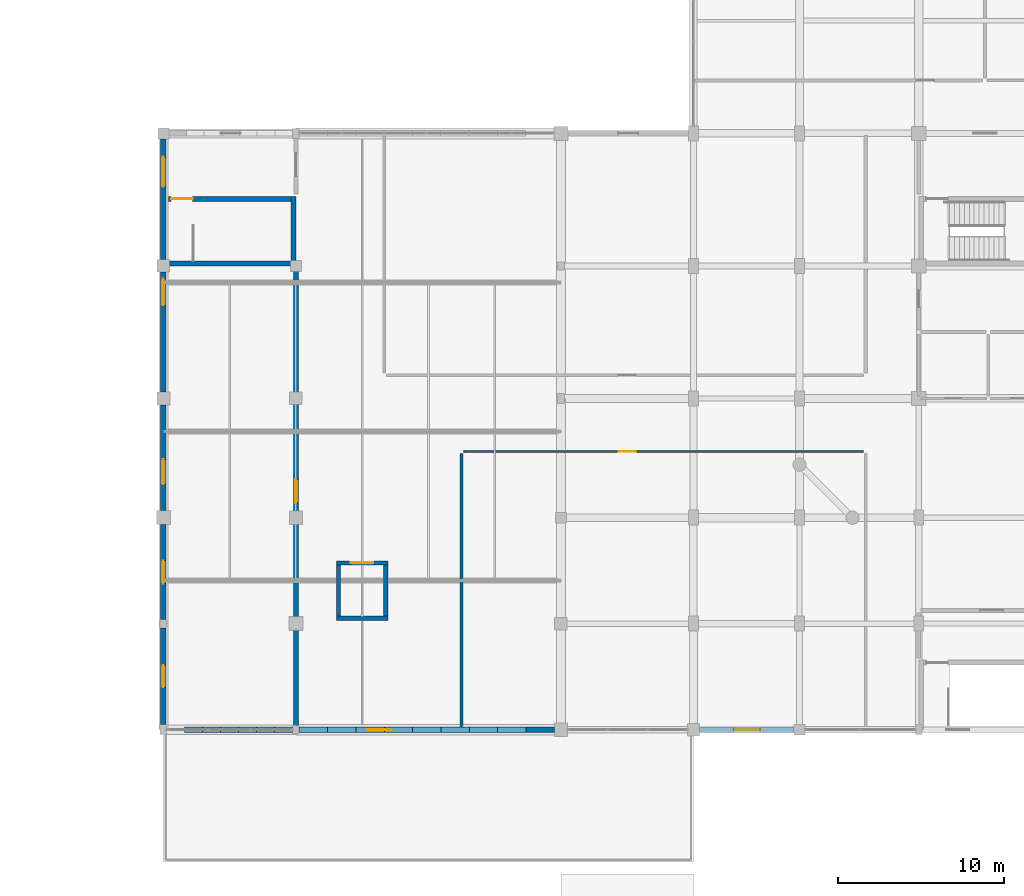
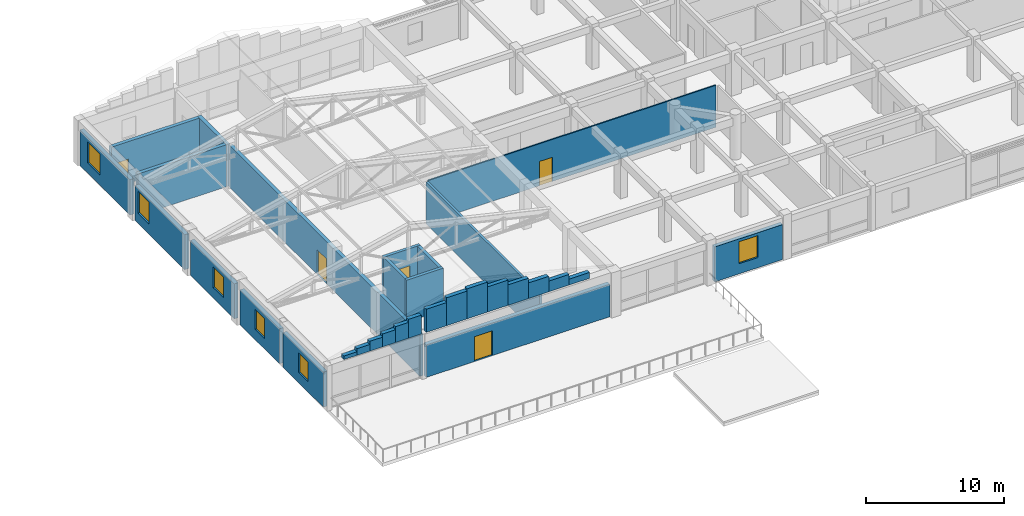
# One storey, part 20 of 27: 31 walls, 6 windows, 5 doors, 11 openings.
"""IFC4 building model written with IfcOpenShell, lengths in metres."""

import ifcopenshell
import ifcopenshell.guid

model = None  # the IFC model being written
_history = None  # IfcOwnerHistory: only IFC2X3 demands one
_inside = {}  # id of a spatial element -> (the spatial element, [elements in it])
_under = {}  # id of a project, library or spatial element -> (it, [spatial elements below it])
_declared = {}  # id of a project -> (the project, [libraries it declares])
_typed = {}  # id of a type object -> (the type object, [elements of that type])
_made_of = {}  # id of a material, layer set ... -> (it, [elements and type objects made of it])


def new_model(schema):
    """Start an empty IFC model of exactly this schema.

    Asked for "IFC4X3", IfcOpenShell would pick the latest addendum, in which some entities
    have other attributes; the version numbers below select the first issue.
    IFC2X3 requires an IfcOwnerHistory on every rooted entity: one is made here for all.
    """
    global model, _history
    if schema == "IFC4X3":
        model = ifcopenshell.file(schema_version=(4, 3, 0, 0))
    else:
        model = ifcopenshell.file(schema=schema)
    _inside.clear()
    _under.clear()
    _declared.clear()
    _typed.clear()
    _made_of.clear()
    _history = None
    if model.schema == "IFC2X3":
        org = make("IfcOrganization", Name="unknown")
        user = make(
            "IfcPersonAndOrganization",
            ThePerson=make("IfcPerson", FamilyName="unknown"),
            TheOrganization=org,
        )
        app = make(
            "IfcApplication",
            ApplicationDeveloper=org,
            Version="unknown",
            ApplicationFullName="unknown",
            ApplicationIdentifier="unknown",
        )
        _history = make(
            "IfcOwnerHistory",
            OwningUser=user,
            OwningApplication=app,
            ChangeAction="ADDED",
            CreationDate=0,
        )
    return model


def make(cls, **values):
    """One entity of the class cls with the attributes given. An attribute that is None is left unset."""
    return model.create_entity(
        cls, **{name: value for name, value in values.items() if value is not None}
    )


def rooted(cls, **values):
    """An entity with a GlobalId (a new one), such as an element, a storey or a relation."""
    return make(cls, GlobalId=ifcopenshell.guid.new(), OwnerHistory=_history, **values)


def si_unit(unit_type, name, prefix=None):
    """IfcSIUnit, for example si_unit("LENGTHUNIT", "METRE", prefix="MILLI")."""
    return make("IfcSIUnit", UnitType=unit_type, Prefix=prefix, Name=name)


def assignment(units):
    """IfcUnitAssignment: the units of a project."""
    return None if units is None else make("IfcUnitAssignment", Units=units)


def point(xyz):
    """IfcCartesianPoint."""
    return None if xyz is None else make("IfcCartesianPoint", Coordinates=xyz)


def direction(xyz):
    """IfcDirection."""
    return None if xyz is None else make("IfcDirection", DirectionRatios=xyz)


def frame(location, z_axis=None, x_axis=None):
    """IfcAxis2Placement3D, a coordinate frame: its origin and axes. An axis left out is left unset."""
    return make(
        "IfcAxis2Placement3D",
        Location=point(location),
        Axis=direction(z_axis),
        RefDirection=direction(x_axis),
    )


def frame_2d(location, x_axis=None):
    """IfcAxis2Placement2D, a coordinate frame in the plane: its origin and x axis."""
    return make(
        "IfcAxis2Placement2D", Location=point(location), RefDirection=direction(x_axis)
    )


def origin():
    """The frame at (0, 0, 0) with its axes left unset."""
    return frame((0.0, 0.0, 0.0))


def place(relative_to, where):
    """IfcLocalPlacement: puts the frame where relative to a parent placement (None: the world)."""
    return make(
        "IfcLocalPlacement", PlacementRelTo=relative_to, RelativePlacement=where
    )


def context(
    kind, dimensions, precision=None, world=None, true_north=None, identifier=None
):
    """IfcGeometricRepresentationContext, for example the 3D "Model" context."""
    return make(
        "IfcGeometricRepresentationContext",
        ContextIdentifier=identifier,
        ContextType=kind,
        CoordinateSpaceDimension=dimensions,
        Precision=precision,
        WorldCoordinateSystem=world,
        TrueNorth=true_north,
    )


def subcontext(parent, identifier, kind, view, scale=None):
    """IfcGeometricRepresentationSubContext, for example "Body" below "Model"."""
    return make(
        "IfcGeometricRepresentationSubContext",
        ContextIdentifier=identifier,
        ContextType=kind,
        ParentContext=parent,
        TargetScale=scale,
        TargetView=view,
    )


def project(units=None, contexts=None):
    """IfcProject with its units and contexts."""
    return rooted(
        "IfcProject",
        Name="project",
        RepresentationContexts=contexts,
        UnitsInContext=assignment(units),
    )


def spatial(cls, under=None, at=None, **own):
    """A site, building, storey or space (cls), placed at a placement, below another one or the project."""
    s = rooted(cls, ObjectPlacement=at, **own)
    if under is not None:
        _under.setdefault(under.id(), (under, []))[1].append(s)
    return s


def profile(cls, at=None, kind="AREA", **sizes):
    """A parametric profile (cls). Its sizes go by their IFC names, for example OverallWidth=200.0."""
    return make(cls, ProfileType=kind, Position=at, **sizes)


def rectangle(**sizes):
    """IfcRectangleProfileDef."""
    return profile("IfcRectangleProfileDef", **sizes)


def extrude(swept, where, along, depth):
    """IfcExtrudedAreaSolid: the profile swept, set in the frame where, extruded along a direction by depth."""
    return make(
        "IfcExtrudedAreaSolid",
        SweptArea=swept,
        Position=where,
        ExtrudedDirection=direction(along),
        Depth=depth,
    )


def shape(context_of_items, identifier, shape_type, items):
    """IfcShapeRepresentation: the items that make up one representation, for example the "Body"."""
    return make(
        "IfcShapeRepresentation",
        ContextOfItems=context_of_items,
        RepresentationIdentifier=identifier,
        RepresentationType=shape_type,
        Items=items,
    )


def material(Name=None, Category=None):
    """IfcMaterial."""
    return make("IfcMaterial", Name=Name, Category=Category)


def layer(
    of_material, thickness, ventilated=None, Name=None, Category=None, Priority=None
):
    """IfcMaterialLayer: one layer of a wall or slab, of a material (None: an air gap)."""
    return make(
        "IfcMaterialLayer",
        Material=of_material,
        LayerThickness=thickness,
        IsVentilated=ventilated,
        Name=Name,
        Category=Category,
        Priority=Priority,
    )


def layer_set(layers, Name=None):
    """IfcMaterialLayerSet."""
    return make("IfcMaterialLayerSet", MaterialLayers=layers, LayerSetName=Name)


def made_of(thing, what):
    """Note that an element or type object is made of a material, layer set ...; save() writes the relation."""
    if what is not None:
        _made_of.setdefault(what.id(), (what, []))[1].append(thing)
    return thing


def type_object(cls, material=None, **own):
    """A type object (cls), such as IfcWallType, which elements share."""
    return made_of(rooted(cls, **own), material)


def element(
    cls,
    number,
    at=None,
    inside=None,
    cuts=None,
    type_object=None,
    material=None,
    context=None,
    identifier="Body",
    shape_type=None,
    held_by="IfcProductDefinitionShape",
    body=None,
    shapes=None,
    **own,
):
    """One element of the class cls, such as IfcWall. Its Tag is "e" and its number.

    at: its placement. inside: the storey or other place that contains it. cuts: it is an
    opening in that element (IfcRelVoidsElement). A single representation is given by context,
    identifier, shape_type and body (its items); several are given by shapes. held_by: the class
    of the entity that holds the representations. save() writes the other relations.
    """
    e = rooted(cls, Tag="e%d" % number, ObjectPlacement=at, **own)
    if body is not None:
        shapes = [shape(context, identifier, shape_type, body)]
    if shapes is not None:
        e.Representation = make(held_by, Representations=shapes)
    if inside is not None:
        _inside.setdefault(inside.id(), (inside, []))[1].append(e)
    if cuts is not None:
        rooted(
            "IfcRelVoidsElement", RelatingBuildingElement=cuts, RelatedOpeningElement=e
        )
    if type_object is not None:
        _typed.setdefault(type_object.id(), (type_object, []))[1].append(e)
    return made_of(e, material)


def fill(opening, filler):
    """IfcRelFillsElement: the door or window that sits in an opening."""
    return rooted(
        "IfcRelFillsElement",
        RelatingOpeningElement=opening,
        RelatedBuildingElement=filler,
    )


def aggregate(whole, parts):
    """IfcRelAggregates: a whole, such as a stair, and the parts it consists of."""
    return rooted("IfcRelAggregates", RelatingObject=whole, RelatedObjects=parts)


def save(model, path):
    """Write the relations noted so far, then the file.

    IfcRelAggregates (storeys below a building ...), IfcRelContainedInSpatialStructure (elements
    in a storey), IfcRelDefinesByType, IfcRelAssociatesMaterial and IfcRelDeclares: one each for
    every whole, place, type object, material and project.
    """
    for whole, parts in _under.values():
        aggregate(whole, parts)
    for where, things in _inside.values():
        rooted(
            "IfcRelContainedInSpatialStructure",
            RelatedElements=things,
            RelatingStructure=where,
        )
    for kind, things in _typed.values():
        rooted("IfcRelDefinesByType", RelatedObjects=things, RelatingType=kind)
    for what, things in _made_of.values():
        rooted("IfcRelAssociatesMaterial", RelatedObjects=things, RelatingMaterial=what)
    for by, libraries in _declared.values():
        rooted("IfcRelDeclares", RelatingContext=by, RelatedDefinitions=libraries)
    model.write(path)


model = new_model("IFC4")

# Units and contexts
model_context = context("Model", 3, precision=1e-05, world=origin(), true_north=direction((0.0, 1.0)))
body_context = subcontext(model_context, "Body", "Model", "MODEL_VIEW")
ifc_project = project(units=[si_unit("LENGTHUNIT", "METRE"), si_unit("AREAUNIT", "SQUARE_METRE"), si_unit("VOLUMEUNIT", "CUBIC_METRE"), si_unit("PLANEANGLEUNIT", "RADIAN"), si_unit("MASSUNIT", "GRAM", prefix="KILO")], contexts=[model_context])

# Site, building, storey
site_placement = place(None, origin())
site = spatial("IfcSite", under=ifc_project, at=site_placement, CompositionType="ELEMENT")
building_placement = place(site_placement, origin())
building = spatial("IfcBuilding", under=site, at=building_placement, Name="Vellmiral Cinema and Media Centre", CompositionType="ELEMENT")
storey_placement = place(building_placement, frame((0.0, 0.0, 19.800048828125)))
storey = spatial("IfcBuildingStorey", under=building, at=storey_placement, Name="L04", CompositionType="ELEMENT", Elevation=19.800048828125)

# Wall, opening, door
ifc_material_1 = material(Name="Calcium-Silicate Masonry Blockwork", Category="masonry")
ifc_layer_1 = layer(ifc_material_1, 0.10009765625, Name="Calcium-Silicate Masonry Blockwork", Category="masonry")
ifc_material_2 = material(Name="Mineral Wool Acoustic Insulation", Category="insulation")
ifc_layer_2 = layer(ifc_material_2, 0.090087890625, Name="Mineral Wool Acoustic Insulation", Category="insulation")
ifc_layer_3 = layer(ifc_material_1, 0.10009765625, Name="Calcium-Silicate Masonry Blockwork", Category="masonry")
ifc_layer_set_1 = layer_set([ifc_layer_1, ifc_layer_2, ifc_layer_3], Name="Calcium-Silicate Masonry Blockwork")
wall_type_1 = type_object("IfcWallType", Name="WL-AC-290", PredefinedType="SOLIDWALL", material=ifc_layer_set_1)
wall_1_placement = place(storey_placement, frame((86.39990234375, 59.385009765625, 0.0), z_axis=(0.0, 0.0, 1.0), x_axis=(0.0, 1.0, 0.0)))
wall_1 = element("IfcWall", 1, at=wall_1_placement, inside=storey, type_object=wall_type_1, Name="Bridge Newsroom Studio West Wall E", PredefinedType="SOLIDWALL", context=body_context, shape_type="SweptSolid", body=[
    extrude(rectangle(XDim=27.675048828125, YDim=0.2900390625, at=frame_2d((13.83740234375, 0.0))), origin(), (0.0, 0.0, 1.0), 3.719970703125),
])
opening_1_placement = place(wall_1_placement, frame((13.514892578125, 0.0, 0.0)))
opening_1 = element("IfcOpeningElement", 2, at=opening_1_placement, cuts=wall_1, Name="Opening D-AC4", PredefinedType="OPENING", context=body_context, shape_type="SweptSolid", body=[
    extrude(rectangle(XDim=1.39990234375, YDim=2.199951171875, at=frame_2d((0.699951171875, 1.10009765625))), frame((0.0, 0.156982421875, 0.0), z_axis=(0.0, -1.0, 0.0), x_axis=(1.0, 0.0, 0.0)), (0.0, 0.0, 1.0), 0.31396484375),
])
ifc_material_3 = material(Name="Acoustic Studio Door", Category="steel")
door_type_1 = type_object("IfcDoorType", Name="DR-AC-1400x2200", OperationType="NOTDEFINED", PredefinedType="DOOR", material=ifc_material_3)
door_1_placement = place(opening_1_placement, frame((1.39990234375, 0.0, 0.0), z_axis=(0.0, 0.0, 1.0), x_axis=(-1.0, 0.0, 0.0)))
door_1 = element("IfcDoor", 3, at=door_1_placement, inside=storey, type_object=door_type_1, Name="Bridge Newsroom Studio West Door", OperationType="SINGLE_SWING_LEFT", OverallHeight=2.199951171875, OverallWidth=1.39990234375, PredefinedType="DOOR", context=body_context, shape_type="SweptSolid", body=[
    extrude(rectangle(XDim=1.39990234375, YDim=2.199951171875, at=frame_2d((0.699951171875, 1.10009765625))), frame((0.0, 0.02490234375, 0.0), z_axis=(0.0, -1.0, 0.0), x_axis=(1.0, 0.0, 0.0)), (0.0, 0.0, 1.0), 0.050048828125),
])
fill(opening_1, door_1)

# Walls
ifc_material_4 = material(Name="Concrete C40/50", Category="concrete")
ifc_layer_4 = layer(ifc_material_4, 0.300048828125, Name="Concrete C40/50")
ifc_layer_set_2 = layer_set([ifc_layer_4], Name="Concrete C40/50")
wall_type_2 = type_object("IfcWallType", Name="WL-CORE-300", PredefinedType="SHEAR", material=ifc_layer_set_2)
wall_2_placement = place(storey_placement, frame((86.25, 87.199951171875, 0.0), z_axis=(0.0, 0.0, 1.0), x_axis=(0.0, 1.0, 0.0)))
element("IfcWall", 4, at=wall_2_placement, inside=storey, type_object=wall_type_2, Name="Stair Core Wall ST-P5 L04-E", PredefinedType="SHEAR", context=body_context, shape_type="SweptSolid", body=[
    extrude(rectangle(XDim=4.199951171875, YDim=0.300048828125, at=frame_2d((2.10009765625, 0.0))), origin(), (0.0, 0.0, 1.0), 3.719970703125),
])
wall_3_placement = place(storey_placement, frame((78.699951171875, 87.35009765625, 0.0), z_axis=(0.0, 0.0, 1.0), x_axis=(1.0, 0.0, 0.0)))
element("IfcWall", 5, at=wall_3_placement, inside=storey, type_object=wall_type_2, Name="Stair Core Wall ST-P5 L04-S", PredefinedType="SHEAR", context=body_context, shape_type="SweptSolid", body=[
    extrude(rectangle(XDim=7.400146484375, YDim=0.300048828125, at=frame_2d((3.7001953125, 0.0))), origin(), (0.0, 0.0, 1.0), 3.719970703125),
])

# Wall, opening, door
wall_4_placement = place(storey_placement, frame((78.699951171875, 91.25, 0.0), z_axis=(0.0, 0.0, 1.0), x_axis=(1.0, 0.0, 0.0)))
wall_4 = element("IfcWall", 6, at=wall_4_placement, inside=storey, type_object=wall_type_2, Name="Stair Core Wall ST-P5 L04-N", PredefinedType="SHEAR", context=body_context, shape_type="SweptSolid", body=[
    extrude(rectangle(XDim=7.400146484375, YDim=0.300048828125, at=frame_2d((3.7001953125, 0.0))), origin(), (0.0, 0.0, 1.0), 3.719970703125),
])
opening_2_placement = place(wall_4_placement, frame((0.159912109375, 0.0, 0.0)))
opening_2 = element("IfcOpeningElement", 7, at=opening_2_placement, cuts=wall_4, Name="Opening D-FD30A", PredefinedType="OPENING", context=body_context, shape_type="SweptSolid", body=[
    extrude(rectangle(XDim=1.300048828125, YDim=2.179931640625, at=frame_2d((0.64990234375, 1.08984375))), frame((0.0, 0.162109375, 0.0), z_axis=(0.0, -1.0, 0.0), x_axis=(1.0, 0.0, 0.0)), (0.0, 0.0, 1.0), 0.323974609375),
])
ifc_material_5 = material(Name="Steel Stair Fire Door", Category="steel")
door_type_2 = type_object("IfcDoorType", Name="DR-FD30-1300x2180", OperationType="NOTDEFINED", PredefinedType="DOOR", material=ifc_material_5)
door_2_placement = place(opening_2_placement, frame((1.300048828125, 0.0, 0.0), z_axis=(0.0, 0.0, 1.0), x_axis=(-1.0, 0.0, 0.0)))
door_2 = element("IfcDoor", 8, at=door_2_placement, inside=storey, type_object=door_type_2, Name="Protected Stair Door ST-P5 L04", OperationType="SINGLE_SWING_RIGHT", OverallHeight=2.179931640625, OverallWidth=1.300048828125, PredefinedType="DOOR", context=body_context, shape_type="SweptSolid", body=[
    extrude(rectangle(XDim=1.300048828125, YDim=2.179931640625, at=frame_2d((0.64990234375, 1.08984375))), frame((0.0, 0.02490234375, 0.0), z_axis=(0.0, -1.0, 0.0), x_axis=(1.0, 0.0, 0.0)), (0.0, 0.0, 1.0), 0.050048828125),
])
fill(opening_2, door_2)

# Wall, opening, window
ifc_material_6 = material(Name="Polychrome Glazed Ceramic Cladding", Category="masonry")
ifc_layer_5 = layer(ifc_material_6, 0.320068359375, Name="Polychrome Glazed Ceramic Cladding")
ifc_layer_set_3 = layer_set([ifc_layer_5], Name="Polychrome Glazed Ceramic Cladding")
wall_type_3 = type_object("IfcWallType", Name="WL-EXT-BRICK-320", PredefinedType="SOLIDWALL", material=ifc_layer_set_3)
wall_5_placement = place(storey_placement, frame((78.39990234375, 94.875, 0.0), z_axis=(0.0, 0.0, 1.0), x_axis=(0.0, -1.0, 0.0)))
wall_5 = element("IfcWall", 9, at=wall_5_placement, inside=storey, type_object=wall_type_3, Name="Exterior Facade Wall L04-033", PredefinedType="SOLIDWALL", context=body_context, shape_type="SweptSolid", body=[
    extrude(rectangle(XDim=7.300048828125, YDim=0.320068359375, at=frame_2d((3.64990234375, 0.0))), origin(), (0.0, 0.0, 1.0), 3.14990234375),
])
opening_3_placement = place(wall_5_placement, frame((1.10009765625, 0.0, 0.89990234375)))
opening_3 = element("IfcOpeningElement", 10, at=opening_3_placement, cuts=wall_5, Name="Opening WN-04", PredefinedType="OPENING", context=body_context, shape_type="SweptSolid", body=[
    extrude(rectangle(XDim=1.800048828125, YDim=1.85009765625, at=frame_2d((0.89990234375, 0.925048828125))), frame((0.0, 0.171875, 0.0), z_axis=(0.0, -1.0, 0.0), x_axis=(1.0, 0.0, 0.0)), (0.0, 0.0, 1.0), 0.343994140625),
])
ifc_material_7 = material(Name="Thermally Broken Aluminium Triple Glazing", Category="aluminium")
window_type_1 = type_object("IfcWindowType", Name="WN-1800x1850", PartitioningType="DOUBLE_PANEL_VERTICAL", PredefinedType="WINDOW", material=ifc_material_7)
window_1_placement = place(opening_3_placement, origin())
window_1 = element("IfcWindow", 11, at=window_1_placement, inside=storey, type_object=window_type_1, Name="Window L04-033", OverallHeight=1.85009765625, OverallWidth=1.800048828125, PartitioningType="DOUBLE_PANEL_VERTICAL", PredefinedType="WINDOW", context=body_context, shape_type="SweptSolid", body=[
    extrude(rectangle(XDim=1.800048828125, YDim=1.85009765625, at=frame_2d((0.89990234375, 0.925048828125))), frame((0.0, 0.030029296875, 0.0), z_axis=(0.0, -1.0, 0.0), x_axis=(1.0, 0.0, 0.0)), (0.0, 0.0, 1.0), 0.06005859375),
])
fill(opening_3, window_1)

wall_6_placement = place(storey_placement, frame((78.39990234375, 78.800048828125, 0.0), z_axis=(0.0, 0.0, 1.0), x_axis=(0.0, -1.0, 0.0)))
wall_6 = element("IfcWall", 12, at=wall_6_placement, inside=storey, type_object=wall_type_3, Name="Exterior Facade Wall L04-035", PredefinedType="SOLIDWALL", context=body_context, shape_type="SweptSolid", body=[
    extrude(rectangle(XDim=6.375, YDim=0.320068359375, at=frame_2d((3.1875, 0.0))), origin(), (0.0, 0.0, 1.0), 3.099853515625),
])
opening_4_placement = place(wall_6_placement, frame((3.28759765625, 0.0, 0.89990234375)))
opening_4 = element("IfcOpeningElement", 13, at=opening_4_placement, cuts=wall_6, Name="Opening WN-06", PredefinedType="OPENING", context=body_context, shape_type="SweptSolid", body=[
    extrude(rectangle(XDim=1.5, YDim=1.85009765625, at=frame_2d((0.75, 0.925048828125))), frame((0.0, 0.171875, 0.0), z_axis=(0.0, -1.0, 0.0), x_axis=(1.0, 0.0, 0.0)), (0.0, 0.0, 1.0), 0.343994140625),
])
ifc_material_8 = material(Name="Thermally Broken Aluminium Triple Glazing", Category="aluminium")
window_type_2 = type_object("IfcWindowType", Name="WN-1500x1850", PartitioningType="SINGLE_PANEL", PredefinedType="WINDOW", material=ifc_material_8)
window_2_placement = place(opening_4_placement, origin())
window_2 = element("IfcWindow", 14, at=window_2_placement, inside=storey, type_object=window_type_2, Name="Window L04-035", OverallHeight=1.85009765625, OverallWidth=1.5, PartitioningType="SINGLE_PANEL", PredefinedType="WINDOW", context=body_context, shape_type="SweptSolid", body=[
    extrude(rectangle(XDim=1.5, YDim=1.85009765625, at=frame_2d((0.75, 0.925048828125))), frame((0.0, 0.030029296875, 0.0), z_axis=(0.0, -1.0, 0.0), x_axis=(1.0, 0.0, 0.0)), (0.0, 0.0, 1.0), 0.06005859375),
])
fill(opening_4, window_2)

wall_7_placement = place(storey_placement, frame((78.39990234375, 65.35009765625, 0.0), z_axis=(0.0, 0.0, 1.0), x_axis=(0.0, -1.0, 0.0)))
wall_7 = element("IfcWall", 15, at=wall_7_placement, inside=storey, type_object=wall_type_3, Name="Exterior Facade Wall L04-037", PredefinedType="SOLIDWALL", context=body_context, shape_type="SweptSolid", body=[
    extrude(rectangle(XDim=5.85009765625, YDim=0.320068359375, at=frame_2d((2.925048828125, 0.0))), origin(), (0.0, 0.0, 1.0), 3.099853515625),
])
opening_5_placement = place(wall_7_placement, frame((2.25, 0.0, 0.89990234375)))
opening_5 = element("IfcOpeningElement", 16, at=opening_5_placement, cuts=wall_7, Name="Opening WN-08", PredefinedType="OPENING", context=body_context, shape_type="SweptSolid", body=[
    extrude(rectangle(XDim=1.35009765625, YDim=1.75, at=frame_2d((0.675048828125, 0.875))), frame((0.0, 0.171875, 0.0), z_axis=(0.0, -1.0, 0.0), x_axis=(1.0, 0.0, 0.0)), (0.0, 0.0, 1.0), 0.343994140625),
])
ifc_material_9 = material(Name="Thermally Broken Aluminium Triple Glazing", Category="aluminium")
window_type_3 = type_object("IfcWindowType", Name="WN-1350x1750", PartitioningType="SINGLE_PANEL", PredefinedType="WINDOW", material=ifc_material_9)
window_3_placement = place(opening_5_placement, origin())
window_3 = element("IfcWindow", 17, at=window_3_placement, inside=storey, type_object=window_type_3, Name="Window L04-037", OverallHeight=1.75, OverallWidth=1.35009765625, PartitioningType="SINGLE_PANEL", PredefinedType="WINDOW", context=body_context, shape_type="SweptSolid", body=[
    extrude(rectangle(XDim=1.35009765625, YDim=1.75, at=frame_2d((0.675048828125, 0.875))), frame((0.0, 0.030029296875, 0.0), z_axis=(0.0, -1.0, 0.0), x_axis=(1.0, 0.0, 0.0)), (0.0, 0.0, 1.0), 0.06005859375),
])
fill(opening_5, window_3)

# Wall, opening, door
ifc_material_10 = material(Name="Vosges Red Sandstone Masonry", Category="masonry")
ifc_layer_6 = layer(ifc_material_10, 0.340087890625, Name="Vosges Red Sandstone Masonry")
ifc_layer_set_4 = layer_set([ifc_layer_6], Name="Vosges Red Sandstone Masonry")
wall_type_4 = type_object("IfcWallType", Name="WL-EXT-SAND-340", PredefinedType="SOLIDWALL", material=ifc_layer_set_4)
wall_8_placement = place(storey_placement, frame((86.60009765625, 59.199951171875, 0.0), z_axis=(0.0, 0.0, 1.0), x_axis=(1.0, 0.0, 0.0)))
wall_8 = element("IfcWall", 18, at=wall_8_placement, inside=storey, type_object=wall_type_4, Name="Exterior Facade Wall L04-002", PredefinedType="SOLIDWALL", context=body_context, shape_type="SweptSolid", body=[
    extrude(rectangle(XDim=15.39990234375, YDim=0.340087890625, at=frame_2d((7.699951171875, 0.0))), origin(), (0.0, 0.0, 1.0), 2.889892578125),
])
opening_6_placement = place(wall_8_placement, frame((4.050048828125, 0.0, 0.0)))
opening_6 = element("IfcOpeningElement", 19, at=opening_6_placement, cuts=wall_8, Name="Opening DE-04", PredefinedType="OPENING", context=body_context, shape_type="SweptSolid", body=[
    extrude(rectangle(XDim=1.5, YDim=2.199951171875, at=frame_2d((0.75, 1.10009765625))), frame((0.0, 0.18212890625, 0.0), z_axis=(0.0, -1.0, 0.0), x_axis=(1.0, 0.0, 0.0)), (0.0, 0.0, 1.0), 0.364013671875),
])
ifc_material_11 = material(Name="Thermally Broken Glazed Aluminium and Bronze Door", Category="aluminium")
door_type_3 = type_object("IfcDoorType", Name="DR-TER-1500x2200", OperationType="DOUBLE_DOOR_SINGLE_SWING", PredefinedType="DOOR", material=ifc_material_11)
door_3_placement = place(opening_6_placement, frame((1.5, 0.0, 0.0), z_axis=(0.0, 0.0, 1.0), x_axis=(-1.0, 0.0, 0.0)))
door_3 = element("IfcDoor", 20, at=door_3_placement, inside=storey, type_object=door_type_3, Name="Media Bridge Courtyard Terrace Door", OperationType="DOUBLE_DOOR_SINGLE_SWING", OverallHeight=2.199951171875, OverallWidth=1.5, PredefinedType="DOOR", context=body_context, shape_type="SweptSolid", body=[
    extrude(rectangle(XDim=1.5, YDim=2.199951171875, at=frame_2d((0.75, 1.10009765625))), frame((0.0, 0.02490234375, 0.0), z_axis=(0.0, -1.0, 0.0), x_axis=(1.0, 0.0, 0.0)), (0.0, 0.0, 1.0), 0.050048828125),
])
fill(opening_6, door_3)

# Wall, opening, window
wall_9_placement = place(storey_placement, frame((110.77490234375, 59.199951171875, 0.0), z_axis=(0.0, 0.0, 1.0), x_axis=(1.0, 0.0, 0.0)))
wall_9 = element("IfcWall", 21, at=wall_9_placement, inside=storey, type_object=wall_type_4, Name="Exterior Facade Wall L04-004", PredefinedType="SOLIDWALL", context=body_context, shape_type="SweptSolid", body=[
    extrude(rectangle(XDim=5.7001953125, YDim=0.340087890625, at=frame_2d((2.85009765625, 0.0))), origin(), (0.0, 0.0, 1.0), 3.099853515625),
])
opening_7_placement = place(wall_9_placement, frame((2.050048828125, 0.0, 0.89990234375)))
opening_7 = element("IfcOpeningElement", 22, at=opening_7_placement, cuts=wall_9, Name="Opening WN-05", PredefinedType="OPENING", context=body_context, shape_type="SweptSolid", body=[
    extrude(rectangle(XDim=1.60009765625, YDim=1.949951171875, at=frame_2d((0.800048828125, 0.97509765625))), frame((0.0, 0.18212890625, 0.0), z_axis=(0.0, -1.0, 0.0), x_axis=(1.0, 0.0, 0.0)), (0.0, 0.0, 1.0), 0.364013671875),
])
ifc_material_12 = material(Name="Thermally Broken Aluminium Triple Glazing", Category="aluminium")
window_type_4 = type_object("IfcWindowType", Name="WN-1600x1950", PartitioningType="DOUBLE_PANEL_VERTICAL", PredefinedType="WINDOW", material=ifc_material_12)
window_4_placement = place(opening_7_placement, origin())
window_4 = element("IfcWindow", 23, at=window_4_placement, inside=storey, type_object=window_type_4, Name="Window L04-004", OverallHeight=1.949951171875, OverallWidth=1.60009765625, PartitioningType="DOUBLE_PANEL_VERTICAL", PredefinedType="WINDOW", context=body_context, shape_type="SweptSolid", body=[
    extrude(rectangle(XDim=1.60009765625, YDim=1.949951171875, at=frame_2d((0.800048828125, 0.97509765625))), frame((0.0, 0.030029296875, 0.0), z_axis=(0.0, -1.0, 0.0), x_axis=(1.0, 0.0, 0.0)), (0.0, 0.0, 1.0), 0.06005859375),
])
fill(opening_7, window_4)

wall_10_placement = place(storey_placement, frame((78.39990234375, 86.824951171875, 0.0), z_axis=(0.0, 0.0, 1.0), x_axis=(0.0, -1.0, 0.0)))
wall_10 = element("IfcWall", 24, at=wall_10_placement, inside=storey, type_object=wall_type_4, Name="Exterior Facade Wall L04-034", PredefinedType="SOLIDWALL", context=body_context, shape_type="SweptSolid", body=[
    extrude(rectangle(XDim=7.224853515625, YDim=0.340087890625, at=frame_2d((3.6123046875, 0.0))), origin(), (0.0, 0.0, 1.0), 3.099853515625),
])
opening_8_placement = place(wall_10_placement, frame((0.41259765625, 0.0, 0.89990234375)))
opening_8 = element("IfcOpeningElement", 25, at=opening_8_placement, cuts=wall_10, Name="Opening WN-05", PredefinedType="OPENING", context=body_context, shape_type="SweptSolid", body=[
    extrude(rectangle(XDim=1.60009765625, YDim=1.949951171875, at=frame_2d((0.800048828125, 0.97509765625))), frame((0.0, 0.18212890625, 0.0), z_axis=(0.0, -1.0, 0.0), x_axis=(1.0, 0.0, 0.0)), (0.0, 0.0, 1.0), 0.364013671875),
])
window_5_placement = place(opening_8_placement, origin())
window_5 = element("IfcWindow", 26, at=window_5_placement, inside=storey, type_object=window_type_4, Name="Window L04-034", OverallHeight=1.949951171875, OverallWidth=1.60009765625, PartitioningType="DOUBLE_PANEL_VERTICAL", PredefinedType="WINDOW", context=body_context, shape_type="SweptSolid", body=[
    extrude(rectangle(XDim=1.60009765625, YDim=1.949951171875, at=frame_2d((0.800048828125, 0.97509765625))), frame((0.0, 0.030029296875, 0.0), z_axis=(0.0, -1.0, 0.0), x_axis=(1.0, 0.0, 0.0)), (0.0, 0.0, 1.0), 0.06005859375),
])
fill(opening_8, window_5)

wall_11_placement = place(storey_placement, frame((78.39990234375, 71.574951171875, 0.0), z_axis=(0.0, 0.0, 1.0), x_axis=(0.0, -1.0, 0.0)))
wall_11 = element("IfcWall", 27, at=wall_11_placement, inside=storey, type_object=wall_type_4, Name="Exterior Facade Wall L04-036", PredefinedType="SOLIDWALL", context=body_context, shape_type="SweptSolid", body=[
    extrude(rectangle(XDim=5.724853515625, YDim=0.340087890625, at=frame_2d((2.8623046875, 0.0))), origin(), (0.0, 0.0, 1.0), 3.099853515625),
])
opening_9_placement = place(wall_11_placement, frame((2.16259765625, 0.0, 0.89990234375)))
opening_9 = element("IfcOpeningElement", 28, at=opening_9_placement, cuts=wall_11, Name="Opening WN-07", PredefinedType="OPENING", context=body_context, shape_type="SweptSolid", body=[
    extrude(rectangle(XDim=1.39990234375, YDim=1.800048828125, at=frame_2d((0.699951171875, 0.89990234375))), frame((0.0, 0.18212890625, 0.0), z_axis=(0.0, -1.0, 0.0), x_axis=(1.0, 0.0, 0.0)), (0.0, 0.0, 1.0), 0.364013671875),
])
ifc_material_13 = material(Name="Thermally Broken Aluminium Triple Glazing", Category="aluminium")
window_type_5 = type_object("IfcWindowType", Name="WN-1400x1800", PartitioningType="SINGLE_PANEL", PredefinedType="WINDOW", material=ifc_material_13)
window_6_placement = place(opening_9_placement, origin())
window_6 = element("IfcWindow", 29, at=window_6_placement, inside=storey, type_object=window_type_5, Name="Window L04-036", OverallHeight=1.800048828125, OverallWidth=1.39990234375, PartitioningType="SINGLE_PANEL", PredefinedType="WINDOW", context=body_context, shape_type="SweptSolid", body=[
    extrude(rectangle(XDim=1.39990234375, YDim=1.800048828125, at=frame_2d((0.699951171875, 0.89990234375))), frame((0.0, 0.030029296875, 0.0), z_axis=(0.0, -1.0, 0.0), x_axis=(1.0, 0.0, 0.0)), (0.0, 0.0, 1.0), 0.06005859375),
])
fill(opening_9, window_6)

# Walls
wall_12_placement = place(storey_placement, frame((79.685791015625, 59.199951171875, 4.0), z_axis=(0.0, 0.0, 1.0), x_axis=(1.0, 0.0, 0.0)))
element("IfcWall", 30, at=wall_12_placement, inside=storey, type_object=wall_type_4, Name="Stepped Broadcast Bridge Barrel Vault Gable End Wall S-1", PredefinedType="SOLIDWALL", context=body_context, shape_type="SweptSolid", body=[
    extrude(rectangle(XDim=1.085693359375, YDim=0.340087890625, at=frame_2d((0.54296875, 0.0))), origin(), (0.0, 0.0, 1.0), 0.320556640625),
])
wall_13_placement = place(storey_placement, frame((80.771484375, 59.199951171875, 4.0), z_axis=(0.0, 0.0, 1.0), x_axis=(1.0, 0.0, 0.0)))
element("IfcWall", 31, at=wall_13_placement, inside=storey, type_object=wall_type_4, Name="Stepped Broadcast Bridge Barrel Vault Gable End Wall S-2", PredefinedType="SOLIDWALL", context=body_context, shape_type="SweptSolid", body=[
    extrude(rectangle(XDim=1.085693359375, YDim=0.340087890625, at=frame_2d((0.54296875, 0.0))), origin(), (0.0, 0.0, 1.0), 0.59130859375),
])
wall_14_placement = place(storey_placement, frame((81.857177734375, 59.199951171875, 4.0), z_axis=(0.0, 0.0, 1.0), x_axis=(1.0, 0.0, 0.0)))
element("IfcWall", 32, at=wall_14_placement, inside=storey, type_object=wall_type_4, Name="Stepped Broadcast Bridge Barrel Vault Gable End Wall S-3", PredefinedType="SOLIDWALL", context=body_context, shape_type="SweptSolid", body=[
    extrude(rectangle(XDim=1.085693359375, YDim=0.340087890625, at=frame_2d((0.54296875, 0.0))), origin(), (0.0, 0.0, 1.0), 0.862060546875),
])
wall_15_placement = place(storey_placement, frame((82.94287109375, 59.199951171875, 4.0), z_axis=(0.0, 0.0, 1.0), x_axis=(1.0, 0.0, 0.0)))
element("IfcWall", 33, at=wall_15_placement, inside=storey, type_object=wall_type_4, Name="Stepped Broadcast Bridge Barrel Vault Gable End Wall S-4", PredefinedType="SOLIDWALL", context=body_context, shape_type="SweptSolid", body=[
    extrude(rectangle(XDim=1.085693359375, YDim=0.340087890625, at=frame_2d((0.54296875, 0.0))), origin(), (0.0, 0.0, 1.0), 1.132568359375),
])
wall_16_placement = place(storey_placement, frame((84.028564453125, 59.199951171875, 4.0), z_axis=(0.0, 0.0, 1.0), x_axis=(1.0, 0.0, 0.0)))
element("IfcWall", 34, at=wall_16_placement, inside=storey, type_object=wall_type_4, Name="Stepped Broadcast Bridge Barrel Vault Gable End Wall S-5", PredefinedType="SOLIDWALL", context=body_context, shape_type="SweptSolid", body=[
    extrude(rectangle(XDim=1.085693359375, YDim=0.340087890625, at=frame_2d((0.54296875, 0.0))), origin(), (0.0, 0.0, 1.0), 1.4033203125),
])
wall_17_placement = place(storey_placement, frame((85.1142578125, 59.199951171875, 4.0), z_axis=(0.0, 0.0, 1.0), x_axis=(1.0, 0.0, 0.0)))
element("IfcWall", 35, at=wall_17_placement, inside=storey, type_object=wall_type_4, Name="Stepped Broadcast Bridge Barrel Vault Gable End Wall S-6", PredefinedType="SOLIDWALL", context=body_context, shape_type="SweptSolid", body=[
    extrude(rectangle(XDim=1.085693359375, YDim=0.340087890625, at=frame_2d((0.54296875, 0.0))), origin(), (0.0, 0.0, 1.0), 1.674072265625),
])
wall_18_placement = place(storey_placement, frame((86.60009765625, 59.199951171875, 4.0), z_axis=(0.0, 0.0, 1.0), x_axis=(1.0, 0.0, 0.0)))
element("IfcWall", 36, at=wall_18_placement, inside=storey, type_object=wall_type_4, Name="Stepped Broadcast Bridge Barrel Vault Gable End Wall S-7", PredefinedType="SOLIDWALL", context=body_context, shape_type="SweptSolid", body=[
    extrude(rectangle(XDim=1.7109375, YDim=0.340087890625, at=frame_2d((0.85546875, 0.0))), origin(), (0.0, 0.0, 1.0), 2.04443359375),
])
wall_19_placement = place(storey_placement, frame((88.31103515625, 59.199951171875, 4.0), z_axis=(0.0, 0.0, 1.0), x_axis=(1.0, 0.0, 0.0)))
element("IfcWall", 37, at=wall_19_placement, inside=storey, type_object=wall_type_4, Name="Stepped Broadcast Bridge Barrel Vault Gable End Wall S-8", PredefinedType="SOLIDWALL", context=body_context, shape_type="SweptSolid", body=[
    extrude(rectangle(XDim=1.711181640625, YDim=0.340087890625, at=frame_2d((0.85546875, 0.0))), origin(), (0.0, 0.0, 1.0), 2.470947265625),
])
wall_20_placement = place(storey_placement, frame((90.022216796875, 59.199951171875, 4.0), z_axis=(0.0, 0.0, 1.0), x_axis=(1.0, 0.0, 0.0)))
element("IfcWall", 38, at=wall_20_placement, inside=storey, type_object=wall_type_4, Name="Stepped Broadcast Bridge Barrel Vault Gable End Wall S-9", PredefinedType="SOLIDWALL", context=body_context, shape_type="SweptSolid", body=[
    extrude(rectangle(XDim=1.711181640625, YDim=0.340087890625, at=frame_2d((0.85546875, 0.0))), origin(), (0.0, 0.0, 1.0), 2.659423828125),
])
wall_21_placement = place(storey_placement, frame((91.7333984375, 59.199951171875, 4.0), z_axis=(0.0, 0.0, 1.0), x_axis=(1.0, 0.0, 0.0)))
element("IfcWall", 39, at=wall_21_placement, inside=storey, type_object=wall_type_4, Name="Stepped Broadcast Bridge Barrel Vault Gable End Wall S-10", PredefinedType="SOLIDWALL", context=body_context, shape_type="SweptSolid", body=[
    extrude(rectangle(XDim=1.7109375, YDim=0.340087890625, at=frame_2d((0.85546875, 0.0))), origin(), (0.0, 0.0, 1.0), 2.23291015625),
])
wall_22_placement = place(storey_placement, frame((93.4443359375, 59.199951171875, 4.0), z_axis=(0.0, 0.0, 1.0), x_axis=(1.0, 0.0, 0.0)))
element("IfcWall", 40, at=wall_22_placement, inside=storey, type_object=wall_type_4, Name="Stepped Broadcast Bridge Barrel Vault Gable End Wall S-11", PredefinedType="SOLIDWALL", context=body_context, shape_type="SweptSolid", body=[
    extrude(rectangle(XDim=1.711181640625, YDim=0.340087890625, at=frame_2d((0.85546875, 0.0))), origin(), (0.0, 0.0, 1.0), 1.80615234375),
])
wall_23_placement = place(storey_placement, frame((95.155517578125, 59.199951171875, 4.0), z_axis=(0.0, 0.0, 1.0), x_axis=(1.0, 0.0, 0.0)))
element("IfcWall", 41, at=wall_23_placement, inside=storey, type_object=wall_type_4, Name="Stepped Broadcast Bridge Barrel Vault Gable End Wall S-12", PredefinedType="SOLIDWALL", context=body_context, shape_type="SweptSolid", body=[
    extrude(rectangle(XDim=1.711181640625, YDim=0.340087890625, at=frame_2d((0.85546875, 0.0))), origin(), (0.0, 0.0, 1.0), 1.379638671875),
])
wall_24_placement = place(storey_placement, frame((96.86669921875, 59.199951171875, 4.0), z_axis=(0.0, 0.0, 1.0), x_axis=(1.0, 0.0, 0.0)))
element("IfcWall", 42, at=wall_24_placement, inside=storey, type_object=wall_type_4, Name="Stepped Broadcast Bridge Barrel Vault Gable End Wall S-13", PredefinedType="SOLIDWALL", context=body_context, shape_type="SweptSolid", body=[
    extrude(rectangle(XDim=1.711181640625, YDim=0.340087890625, at=frame_2d((0.85546875, 0.0))), origin(), (0.0, 0.0, 1.0), 0.952880859375),
])
wall_25_placement = place(storey_placement, frame((98.577880859375, 59.199951171875, 4.0), z_axis=(0.0, 0.0, 1.0), x_axis=(1.0, 0.0, 0.0)))
element("IfcWall", 43, at=wall_25_placement, inside=storey, type_object=wall_type_4, Name="Stepped Broadcast Bridge Barrel Vault Gable End Wall S-14", PredefinedType="SOLIDWALL", context=body_context, shape_type="SweptSolid", body=[
    extrude(rectangle(XDim=1.7109375, YDim=0.340087890625, at=frame_2d((0.85546875, 0.0))), origin(), (0.0, 0.0, 1.0), 0.5263671875),
])

# Wall, opening, door
ifc_material_14 = material(Name="Gypsum Plasterboard")
ifc_layer_7 = layer(ifc_material_14, 0.02490234375, Name="Gypsum Plasterboard", Category="gypsum")
ifc_material_15 = material(Name="Mineral Wool Acoustic Insulation", Category="insulation")
ifc_layer_8 = layer(ifc_material_15, 0.06005859375, Name="Mineral Wool Acoustic Insulation", Category="insulation")
ifc_layer_9 = layer(ifc_material_14, 0.02490234375, Name="Gypsum Plasterboard", Category="gypsum")
ifc_layer_set_5 = layer_set([ifc_layer_7, ifc_layer_8, ifc_layer_9], Name="Gypsum Plasterboard")
wall_type_5 = type_object("IfcWallType", Name="WL-PART-110", PredefinedType="PARTITIONING", material=ifc_layer_set_5)
wall_26_placement = place(storey_placement, frame((96.5400390625, 76.0, 0.0), z_axis=(0.0, 0.0, 1.0), x_axis=(1.0, 0.0, 0.0)))
wall_26 = element("IfcWall", 44, at=wall_26_placement, inside=storey, type_object=wall_type_5, Name="Bridge Ingest and Media Lab Wall N", PredefinedType="PARTITIONING", context=body_context, shape_type="SweptSolid", body=[
    extrude(rectangle(XDim=24.119873046875, YDim=0.110107421875, at=frame_2d((12.06005859375, 0.0))), origin(), (0.0, 0.0, 1.0), 3.719970703125),
])
opening_10_placement = place(wall_26_placement, frame((9.3349609375, 0.0, 0.0)))
opening_10 = element("IfcOpeningElement", 45, at=opening_10_placement, cuts=wall_26, Name="Opening D-I07", PredefinedType="OPENING", context=body_context, shape_type="SweptSolid", body=[
    extrude(rectangle(XDim=1.050048828125, YDim=2.14990234375, at=frame_2d((0.52490234375, 1.074951171875))), frame((0.0, 0.06689453125, 0.0), z_axis=(0.0, -1.0, 0.0), x_axis=(1.0, 0.0, 0.0)), (0.0, 0.0, 1.0), 0.134033203125),
])
ifc_material_16 = material(Name="Laminated Timber Door", Category="wood")
door_type_4 = type_object("IfcDoorType", Name="DR-INT-1050x2150", OperationType="NOTDEFINED", PredefinedType="DOOR", material=ifc_material_16)
door_4_placement = place(opening_10_placement, frame((1.050048828125, 0.0, 0.0), z_axis=(0.0, 0.0, 1.0), x_axis=(-1.0, 0.0, 0.0)))
door_4 = element("IfcDoor", 46, at=door_4_placement, inside=storey, type_object=door_type_4, Name="Bridge Ingest and Media Lab Door", OperationType="SINGLE_SWING_RIGHT", OverallHeight=2.14990234375, OverallWidth=1.050048828125, PredefinedType="DOOR", context=body_context, shape_type="SweptSolid", body=[
    extrude(rectangle(XDim=1.050048828125, YDim=2.14990234375, at=frame_2d((0.52490234375, 1.074951171875))), frame((0.0, 0.02490234375, 0.0), z_axis=(0.0, -1.0, 0.0), x_axis=(1.0, 0.0, 0.0)), (0.0, 0.0, 1.0), 0.050048828125),
])
fill(opening_10, door_4)

# Walls
ifc_material_17 = material(Name="Gypsum Plasterboard")
ifc_layer_10 = layer(ifc_material_17, 0.02490234375, Name="Gypsum Plasterboard", Category="gypsum")
ifc_material_18 = material(Name="Mineral Wool Acoustic Insulation", Category="insulation")
ifc_layer_11 = layer(ifc_material_18, 0.139892578125, Name="Mineral Wool Acoustic Insulation", Category="insulation")
ifc_layer_12 = layer(ifc_material_17, 0.02490234375, Name="Gypsum Plasterboard", Category="gypsum")
ifc_layer_set_6 = layer_set([ifc_layer_10, ifc_layer_11, ifc_layer_12], Name="Gypsum Plasterboard")
wall_type_6 = type_object("IfcWallType", Name="WL-PART-190", PredefinedType="PARTITIONING", material=ifc_layer_set_6)
wall_27_placement = place(storey_placement, frame((96.39990234375, 59.385009765625, 0.0), z_axis=(0.0, 0.0, 1.0), x_axis=(0.0, 1.0, 0.0)))
element("IfcWall", 47, at=wall_27_placement, inside=storey, type_object=wall_type_6, Name="Bridge Ingest and Media Lab Wall W", PredefinedType="PARTITIONING", context=body_context, shape_type="SweptSolid", body=[
    extrude(rectangle(XDim=16.47509765625, YDim=0.18994140625, at=frame_2d((8.237548828125, 0.0))), origin(), (0.0, 0.0, 1.0), 3.719970703125),
])
ifc_material_19 = material(Name="Concrete C40/50", Category="concrete")
ifc_layer_13 = layer(ifc_material_19, 0.25, Name="Concrete C40/50")
ifc_layer_set_7 = layer_set([ifc_layer_13], Name="Concrete C40/50")
wall_type_7 = type_object("IfcWallType", Name="WL-SHAFT-250", PredefinedType="SHEAR", material=ifc_layer_set_7)
wall_28_placement = place(storey_placement, frame((88.85009765625, 65.925048828125, 0.0), z_axis=(0.0, 0.0, 1.0), x_axis=(1.0, 0.0, 0.0)))
element("IfcWall", 48, at=wall_28_placement, inside=storey, type_object=wall_type_7, Name="Lift Shaft Wall LF-G1 L04-S", PredefinedType="SHEAR", context=body_context, shape_type="SweptSolid", body=[
    extrude(rectangle(XDim=3.099853515625, YDim=0.25, at=frame_2d((1.5498046875, 0.0))), origin(), (0.0, 0.0, 1.0), 3.719970703125),
])

# Wall, opening, door
wall_29_placement = place(storey_placement, frame((88.85009765625, 69.27490234375, 0.0), z_axis=(0.0, 0.0, 1.0), x_axis=(1.0, 0.0, 0.0)))
wall_29 = element("IfcWall", 49, at=wall_29_placement, inside=storey, type_object=wall_type_7, Name="Lift Shaft Wall LF-G1 L04-N", PredefinedType="SHEAR", context=body_context, shape_type="SweptSolid", body=[
    extrude(rectangle(XDim=3.099853515625, YDim=0.25, at=frame_2d((1.5498046875, 0.0))), origin(), (0.0, 0.0, 1.0), 3.719970703125),
])
opening_11_placement = place(wall_29_placement, frame((0.875, 0.0, 0.0)))
opening_11 = element("IfcOpeningElement", 50, at=opening_11_placement, cuts=wall_29, Name="Opening LD-02", PredefinedType="OPENING", context=body_context, shape_type="SweptSolid", body=[
    extrude(rectangle(XDim=1.35009765625, YDim=2.199951171875, at=frame_2d((0.675048828125, 1.10009765625))), frame((0.0, 0.136962890625, 0.0), z_axis=(0.0, -1.0, 0.0), x_axis=(1.0, 0.0, 0.0)), (0.0, 0.0, 1.0), 0.27392578125),
])
ifc_material_20 = material(Name="Stainless Steel Goods Lift Landing Door", Category="steel")
door_type_5 = type_object("IfcDoorType", Name="DR-LIFT-1350x2200", OperationType="SLIDING_TO_LEFT", PredefinedType="DOOR", material=ifc_material_20)
door_5_placement = place(opening_11_placement, origin())
door_5 = element("IfcDoor", 51, at=door_5_placement, inside=storey, type_object=door_type_5, Name="Lift Landing Door LF-G1 L04", OperationType="SLIDING_TO_LEFT", OverallHeight=2.199951171875, OverallWidth=1.35009765625, PredefinedType="DOOR", context=body_context, shape_type="SweptSolid", body=[
    extrude(rectangle(XDim=1.35009765625, YDim=2.199951171875, at=frame_2d((0.675048828125, 1.10009765625))), frame((0.0, 0.02490234375, 0.0), z_axis=(0.0, -1.0, 0.0), x_axis=(1.0, 0.0, 0.0)), (0.0, 0.0, 1.0), 0.050048828125),
])
fill(opening_11, door_5)

# Walls
for number, where, z_axis, x_axis, name in (
    (52, (88.97509765625, 66.050048828125, 0.0), (0.0, 0.0, 1.0), (0.0, 1.0, 0.0), "Lift Shaft Wall LF-G1 L04-W"),
    (53, (91.824951171875, 66.050048828125, 0.0), (0.0, 0.0, 1.0), (0.0, 1.0, 0.0), "Lift Shaft Wall LF-G1 L04-E"),
):
    element("IfcWall", number, at=place(storey_placement, frame(where, z_axis=z_axis, x_axis=x_axis)), inside=storey, type_object=wall_type_7, Name=name, PredefinedType="SHEAR", context=body_context, shape_type="SweptSolid", body=[
        extrude(rectangle(XDim=3.099853515625, YDim=0.25, at=frame_2d((1.5498046875, 0.0))), origin(), (0.0, 0.0, 1.0), 3.719970703125),
    ])

save(model, "model.ifc")
